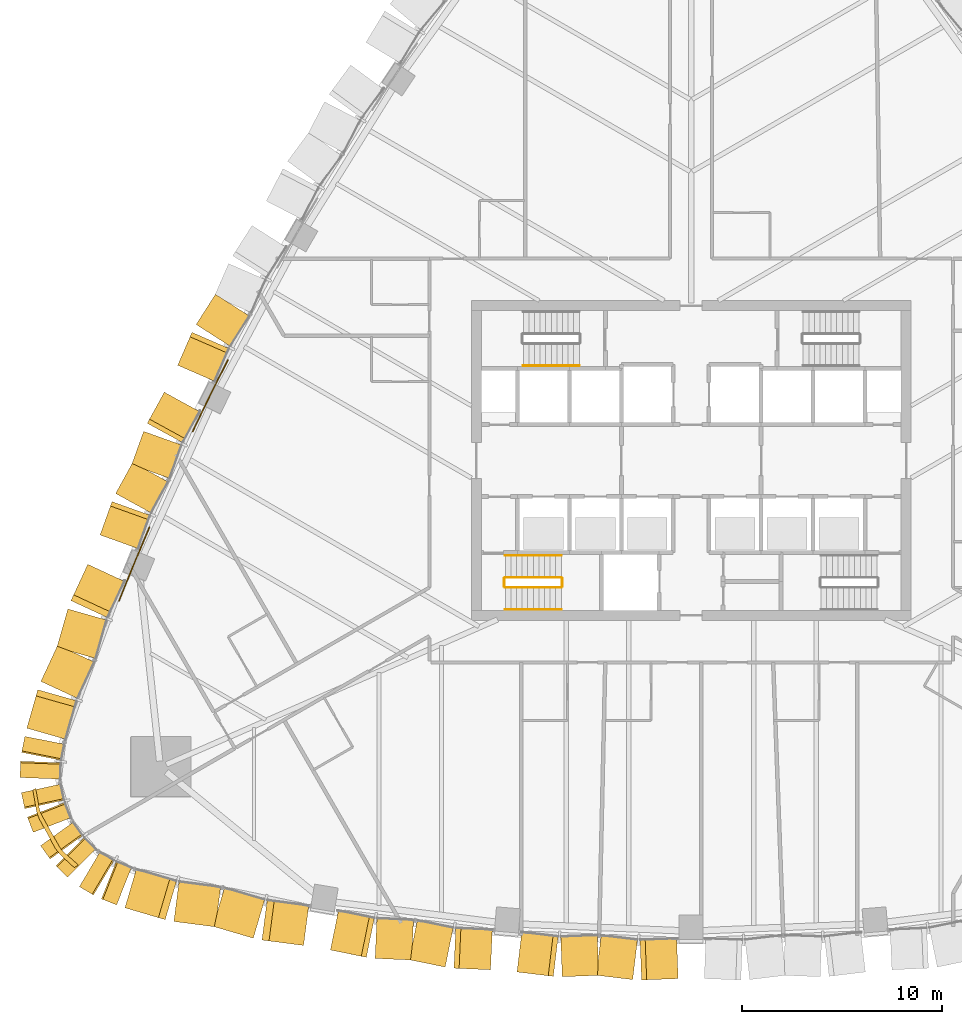
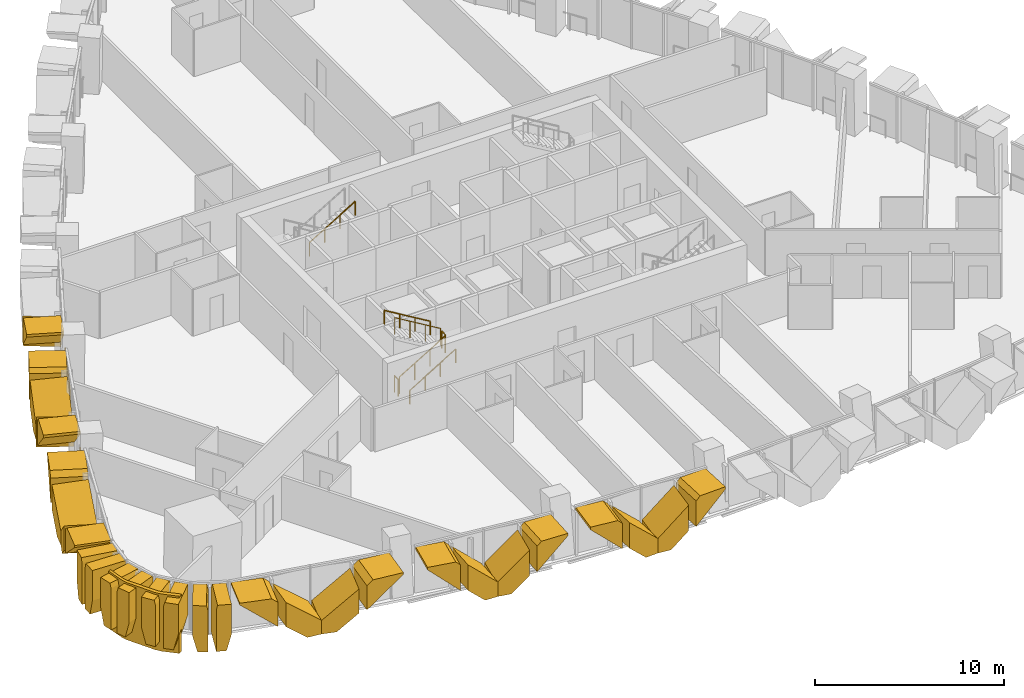
# One storey, part 18 of 23: 31 coverings, 9 railings.
"""IFC4 building model written with IfcOpenShell, lengths in metres."""

from ifc_helpers import new_model, si_unit, direction, frame, origin, origin_2d, place, context, subcontext, project, spatial, polyline, circle, outline, extrude, material, layer, layer_set, type_object, element, save


model = new_model("IFC4")

# Units and contexts
model_context = context("Model", 3, precision=1e-05, world=origin(), true_north=direction((0.0, 1.0)))
body_context = subcontext(model_context, "Body", "Model", "MODEL_VIEW")
ifc_project = project(units=[si_unit("LENGTHUNIT", "METRE"), si_unit("AREAUNIT", "SQUARE_METRE"), si_unit("VOLUMEUNIT", "CUBIC_METRE"), si_unit("PLANEANGLEUNIT", "RADIAN"), si_unit("MASSUNIT", "GRAM", prefix="KILO")], contexts=[model_context])

# Site, building, storey
site_placement = place(None, origin())
site = spatial("IfcSite", under=ifc_project, at=site_placement, CompositionType="ELEMENT")
building_placement = place(site_placement, origin())
building = spatial("IfcBuilding", under=site, at=building_placement, Name="Sierra Prisma Convention Tower", CompositionType="ELEMENT")
storey_placement = place(building_placement, frame((0.0, 0.0, 70.199951171875)))
storey = spatial("IfcBuildingStorey", under=building, at=storey_placement, Name="L13", CompositionType="ELEMENT", Elevation=70.199951171875)

# Coverings
ifc_material_1 = material(Name="Aluminium composite bronze anodised", Category="aluminium")
ifc_layer_1 = layer(ifc_material_1, 1.199951171875)
ifc_layer_set_1 = layer_set([ifc_layer_1], Name="Bronze corner pier")
covering_type_1 = type_object("IfcCoveringType", Name="Bronze corner pier", PredefinedType="CLADDING", material=ifc_layer_set_1)
covering_1_placement = place(storey_placement, frame((0.0, 0.0, -0.599853515625)))
element("IfcCovering", 1, at=covering_1_placement, inside=storey, type_object=covering_type_1, Name="Corner pier SW L13.1", PredefinedType="CLADDING", context=body_context, shape_type="SweptSolid", body=[
    extrude(outline(polyline([(-31.81494140625, -19.404052734375), (-32.628173828125, -17.910400390625), (-32.7568359375, -17.53955078125), (-32.939208984375, -16.47705078125), (-32.794921875, -16.393798828125), (-32.61572265625, -17.389892578125), (-32.584228515625, -17.522216796875), (-32.5380859375, -17.650146484375), (-32.478271484375, -17.772216796875), (-31.62451171875, -19.289794921875), (-31.55126953125, -19.404296875), (-31.4658203125, -19.510009765625), (-31.369140625, -19.605712890625), (-30.653564453125, -20.238037109375), (-30.868408203125, -20.3623046875), (-31.573486328125, -19.71337890625), (-31.81494140625, -19.404052734375)])), origin(), (0.0, 0.0, 1.0), 3.699951171875),
])
ifc_material_2 = material(Name="Aluminium 6063-T6 bronze anodised", Category="aluminium")
ifc_layer_2 = layer(ifc_material_2, 2.0)
ifc_layer_set_2 = layer_set([ifc_layer_2], Name="Bronze crystal chevron frame")
covering_type_2 = type_object("IfcCoveringType", Name="Bronze crystal chevron frame", PredefinedType="CLADDING", material=ifc_layer_set_2)
covering_2_placement = place(storey_placement, frame((-28.329833984375, -22.375732421875, 2.97998046875), z_axis=(-0.282392123243, -0.959299061132, 6.518942e-06), x_axis=(-1.840898e-06, -6.253615e-06, -0.999999999979)))
element("IfcCovering", 2, at=covering_2_placement, inside=storey, type_object=covering_type_2, Name="CW-2 chevron frame S1.1.1", PredefinedType="CLADDING", context=body_context, shape_type="SweptSolid", body=[
    extrude(outline(polyline([(0.0, 0.0), (0.11035156249765522, -2.3367852304623032e-23), (1.856201171848113, 2.099108088776725), (0.295410156256277, 2.099108088776725), (-7.101788610743397e-11, 1.7438237499038258), (0.0, 0.0)])), origin(), (0.0, 0.0, -1.0), 2.0),
])
covering_3_placement = place(storey_placement, frame((-25.88232421875, -23.059814453125, 2.576416015625), z_axis=(-0.128733949615, -0.991679166816, 1.7896466e-05), x_axis=(-2.303883e-06, -1.7747553e-05, -0.99999999984)))
element("IfcCovering", 3, at=covering_3_placement, inside=storey, type_object=covering_type_2, Name="CW-2 chevron frame S1.1.2", PredefinedType="CLADDING", context=body_context, shape_type="SweptSolid", body=[
    extrude(outline(polyline([(0.0, 0.0), (1.5607910153750524, 6.610207070064382e-22), (2.57641601630353, 1.2208597784648008), (2.576416015537696, 2.0992570163667206), (1.7460937500456657, 2.0992570163667206), (0.0, 0.0)])), origin(), (0.0, 0.0, -1.0), 2.0),
])
covering_4_placement = place(storey_placement, frame((-23.922119140625, -23.304443359375, 0.0), z_axis=(-0.282397402615, -0.959297506984, 9.47832e-06), x_axis=(0.959297507027, -0.282397402628, -2.45e-10)))
element("IfcCovering", 4, at=covering_4_placement, inside=storey, type_object=covering_type_2, Name="CW-2 chevron frame S1.2.1", PredefinedType="CLADDING", context=body_context, shape_type="SweptSolid", body=[
    extrude(outline(polyline([(0.0, 0.0), (0.8782840473197168, 0.0), (2.099108088507129, 1.0156250005590293), (2.0991080881253845, 2.5764160161139196), (-2.0308348977260184e-10, 0.8303222655877025), (0.0, 0.0)])), origin(), (0.0, 0.0, -1.0), 2.0),
])
covering_5_placement = place(storey_placement, frame((-19.39306640625, -24.2587890625, 2.97998046875), z_axis=(-0.12874603876, -0.991677594228, -8.1297801e-05), x_axis=(-0.991677597505, 0.128746039185, 6.334e-09)))
element("IfcCovering", 5, at=covering_5_placement, inside=storey, type_object=covering_type_2, Name="CW-2 chevron frame S1.2.2", PredefinedType="CLADDING", context=body_context, shape_type="SweptSolid", body=[
    extrude(outline(polyline([(0.0, 0.0), (1.7437426838725811, 0.0), (2.0990149057726817, 0.29541017052171814), (2.0990148958863895, 1.8562011809888248), (-6.989839207757484e-10, 0.11035156213532492), (0.0, 0.0)])), origin(), (0.0, 0.0, -1.0), 2.0),
])
covering_6_placement = place(storey_placement, frame((-18.050537109375, -24.485107421875, 2.97998046875), z_axis=(-0.200406083936, -0.979712914587, 8.0699737e-05), x_axis=(-1.6172718e-05, -7.9062575e-05, -0.999999996744)))
element("IfcCovering", 6, at=covering_6_placement, inside=storey, type_object=covering_type_2, Name="CW-2 chevron frame S2.1.1", PredefinedType="CLADDING", context=body_context, shape_type="SweptSolid", body=[
    extrude(outline(polyline([(0.0, 0.0), (0.1621093744721356, -5.492479267352104e-22), (1.8940429641661656, 1.833339622410651), (0.24316406329179663, 1.833339622410651), (-1.180699119550038e-08, 1.5758861228997096), (0.0, 0.0)])), origin(), (0.0, 0.0, -1.0), 2.0),
])
covering_7_placement = place(storey_placement, frame((-15.814453125, -24.906982421875, 2.614013671875), z_axis=(-0.044623259293, -0.999003885939, -2.4686801e-05), x_axis=(1.101606e-06, 2.466221e-05, -0.999999999695)))
element("IfcCovering", 7, at=covering_7_placement, inside=storey, type_object=covering_type_2, Name="CW-2 chevron frame S2.1.2", PredefinedType="CLADDING", context=body_context, shape_type="SweptSolid", body=[
    extrude(outline(polyline([(0.0, 0.0), (1.6508789057469457, -3.495872063802233e-22), (2.6140136732091133, 1.0195664403411433), (2.614013671665431, 1.8333681509920887), (1.731933593809218, 1.8333681509920887), (0.0, 0.0)])), origin(), (0.0, 0.0, -1.0), 2.0),
])
covering_8_placement = place(storey_placement, frame((-14.106201171875, -24.9736328125, 0.0), z_axis=(-0.200333247522, -0.979727813561, 3.5674824e-05), x_axis=(0.979727814184, -0.20033324765, -3.962e-09)))
element("IfcCovering", 8, at=covering_8_placement, inside=storey, type_object=covering_type_2, Name="CW-2 chevron frame S2.2.1", PredefinedType="CLADDING", context=body_context, shape_type="SweptSolid", body=[
    extrude(outline(polyline([(0.0, 0.0), (0.8136313287942795, -8.470329472543003e-22), (1.83305151122402, 0.9631347735005997), (1.8330515046830915, 2.6140136787000685), (-3.4948793165928866e-09, 0.8820800775636914), (0.0, 0.0)])), origin(), (0.0, 0.0, -1.0), 2.0),
])
covering_9_placement = place(storey_placement, frame((-10.038818359375, -25.477294921875, 2.97998046875), z_axis=(-0.044616682002, -0.999004180009, 3.344774e-06), x_axis=(-0.999004180015, 0.044616682002, 1.3e-11)))
element("IfcCovering", 9, at=covering_9_placement, inside=storey, type_object=covering_type_2, Name="CW-2 chevron frame S2.2.2", PredefinedType="CLADDING", context=body_context, shape_type="SweptSolid", body=[
    extrude(outline(polyline([(0.0, 0.0), (1.5757882219610095, 5.293955920339377e-23), (1.8331242536008792, 0.2431640625249554), (1.83312425357963, 1.8940429687657212), (-2.086598412616342e-12, 0.16210937499909323), (0.0, 0.0)])), origin(), (0.0, 0.0, -1.0), 2.0),
])
covering_10_placement = place(storey_placement, frame((-8.71630859375, -25.5869140625, 2.97998046875), z_axis=(-0.119269075759, -0.992861966051, -6.2737553e-05), x_axis=(7.48265e-06, 6.2289731e-05, -0.999999998032)))
element("IfcCovering", 10, at=covering_10_placement, inside=storey, type_object=covering_type_2, Name="CW-2 chevron frame S3.1.1", PredefinedType="CLADDING", context=body_context, shape_type="SweptSolid", body=[
    extrude(outline(polyline([(0.0, 0.0), (0.16235351530548822, 0.0), (1.8940429659786557, 1.8321680533747062), (0.24291992235306648, 1.8321680533747062), (-7.137844853915895e-09, 1.5752224012592562), (0.0, 0.0)])), origin(), (0.0, 0.0, -1.0), 2.0),
])
covering_11_placement = place(storey_placement, frame((-6.454345703125, -25.82373046875, 2.6142578125), z_axis=(0.037564450564, -0.999294206808, -1.7136686e-05), x_axis=(-6.4373e-07, 1.7124591e-05, -0.999999999853)))
element("IfcCovering", 11, at=covering_11_placement, inside=storey, type_object=covering_type_2, Name="CW-2 chevron frame S3.1.2", PredefinedType="CLADDING", context=body_context, shape_type="SweptSolid", body=[
    extrude(outline(polyline([(0.0, 0.0), (1.6513671872575248, 0.0), (2.614257813142968, 1.0187877103859628), (2.614257812398909, 1.8323485662162005), (1.7319335937784632, 1.8323485662162005), (0.0, 0.0)])), origin(), (0.0, 0.0, -1.0), 2.0),
])
covering_12_placement = place(storey_placement, frame((-3.939697265625, -25.846923828125, 0.0), z_axis=(-0.119395805273, -0.992846736226, 6.964865e-06), x_axis=(0.721473150674, -0.086756676433, 0.686986005644)))
element("IfcCovering", 12, at=covering_12_placement, inside=storey, type_object=covering_type_2, Name="CW-2 chevron frame S3.2.1", PredefinedType="CLADDING", context=body_context, shape_type="SweptSolid", body=[
    extrude(outline(polyline([(0.0, 0.0), (1.4016160696327296, 0.0), (2.536082217624304, 1.200000061200221), (0.014864162986811813, 1.2001485837804018), (-0.5912802277348838, 0.5589894736122173), (0.0, 0.0)])), origin(), (0.0, 0.0, -1.0), 2.0),
])
covering_13_placement = place(storey_placement, frame((-0.654296875, -25.91796875, 2.97998046875), z_axis=(0.037447028896, -0.999298612789, -5.0056809e-05), x_axis=(-0.999298614041, -0.037447028943, 2.884e-09)))
element("IfcCovering", 13, at=covering_13_placement, inside=storey, type_object=covering_type_2, Name="CW-2 chevron frame S3.2.2", PredefinedType="CLADDING", context=body_context, shape_type="SweptSolid", body=[
    extrude(outline(polyline([(0.0, 0.0), (1.5753270616058597, 0.0), (1.8323394085856852, 0.24291992746468663), (1.8323394038230538, 1.8940429722710903), (-4.683054665600759e-10, 0.16235351542159668), (0.0, 0.0)])), origin(), (0.0, 0.0, -1.0), 2.0),
])
covering_14_placement = place(storey_placement, frame((-23.802978515625, 8.31884765625, 0.0), z_axis=(-0.843092080017, 0.537769227756, -4.7873057e-05), x_axis=(-0.537769228372, -0.843092080983, -7.285e-09)))
element("IfcCovering", 14, at=covering_14_placement, inside=storey, type_object=covering_type_2, Name="CW-2 chevron frame NW4.2.1", PredefinedType="CLADDING", context=body_context, shape_type="SweptSolid", body=[
    extrude(outline(polyline([(0.0, 0.0), (0.8046581947575292, 0.0), (1.7945418352386904, 0.9541015766658602), (1.7945418230988561, 2.620605481006189), (-6.491414437609992e-09, 0.8911132802288602), (0.0, 0.0)])), origin(), (0.0, 0.0, -1.0), 2.0),
])
covering_15_placement = place(storey_placement, frame((-25.692626953125, 4.769287109375, 2.97998046875), z_axis=(-0.916870583428, 0.39918458537, 6.91966e-06), x_axis=(0.39918458538, 0.91687058345, 5.7e-11)))
element("IfcCovering", 15, at=covering_15_placement, inside=storey, type_object=covering_type_2, Name="CW-2 chevron frame NW4.2.2", PredefinedType="CLADDING", context=body_context, shape_type="SweptSolid", body=[
    extrude(outline(polyline([(0.0, 0.0), (1.5515957477708018, 8.470329472543003e-22), (1.7944332117472315, 0.23388671885737372), (1.794433211652699, 1.9006347656924705), (-9.706634954946642e-12, 0.1711425781209027), (0.0, 0.0)])), origin(), (0.0, 0.0, -1.0), 2.0),
])
covering_16_placement = place(storey_placement, frame((-26.362548828125, 3.42041015625, 2.97998046875), z_axis=(-0.877027087107, 0.480440930875, 2.0510327e-05), x_axis=(-1.7988112e-05, 9.854001e-06, -0.99999999979)))
element("IfcCovering", 16, at=covering_16_placement, inside=storey, type_object=covering_type_2, Name="CW-2 chevron frame NW5.1.1", PredefinedType="CLADDING", context=body_context, shape_type="SweptSolid", body=[
    extrude(outline(polyline([(0.0, 0.0), (0.17626953121292405, 2.98612201131643e-22), (1.9045410153206384, 1.7729599431480643), (0.22875976567311657, 1.7729599431480643), (-7.79108702337781e-10, 1.538268159774627), (0.0, 0.0)])), origin(), (0.0, 0.0, -1.0), 2.0),
])
covering_17_placement = place(storey_placement, frame((-27.396240234375, 1.461181640625, 2.62451171875), z_axis=(-0.941366593672, 0.337385441736, -4.818635e-06), x_axis=(4.536102e-06, -1.625737e-06, -0.999999999988)))
element("IfcCovering", 17, at=covering_17_placement, inside=storey, type_object=covering_type_2, Name="CW-2 chevron frame NW5.1.2", PredefinedType="CLADDING", context=body_context, shape_type="SweptSolid", body=[
    extrude(outline(polyline([(0.0, 0.0), (1.675781249980545, 0.0), (2.6245117188012856, 0.973323302058531), (2.624511718741559, 1.772894620771101), (1.728027343751967, 1.772894620771101), (0.0, 0.0)])), origin(), (0.0, 0.0, -1.0), 2.0),
])
covering_18_placement = place(storey_placement, frame((-27.943359375, -0.094482421875, 0.0), z_axis=(-0.877004237623, 0.480482638203, -3.9718217e-05), x_axis=(-0.480482638581, -0.877004238315, -5.076e-09)))
element("IfcCovering", 18, at=covering_18_placement, inside=storey, type_object=covering_type_2, Name="CW-2 chevron frame NW5.2.1", PredefinedType="CLADDING", context=body_context, shape_type="SweptSolid", body=[
    extrude(outline(polyline([(0.0, 0.0), (0.7994519929023952, 0.0), (1.772745824187914, 0.948730478496399), (1.7727458156820146, 2.6245117271745957), (-4.550358806250804e-09, 0.8964843742928814), (0.0, 0.0)])), origin(), (0.0, 0.0, -1.0), 2.0),
])
covering_19_placement = place(storey_placement, frame((-29.5751953125, -3.722412109375, 2.97998046875), z_axis=(-0.941365759902, 0.337387765862, 3.9120251e-05), x_axis=(0.337387766121, 0.941365760622, 1.843e-09)))
element("IfcCovering", 19, at=covering_19_placement, inside=storey, type_object=covering_type_2, Name="CW-2 chevron frame NW5.2.2", PredefinedType="CLADDING", context=body_context, shape_type="SweptSolid", body=[
    extrude(outline(polyline([(0.0, 0.0), (1.5382145305233714, 0.0), (1.7728946203328877, 0.22875976906684342), (1.772894617245035, 1.9045410177845405), (-3.248003511994752e-10, 0.1762695311151191), (0.0, 0.0)])), origin(), (0.0, 0.0, -1.0), 2.0),
])
covering_20_placement = place(storey_placement, frame((-30.189208984375, -5.19140625, 2.97998046875), z_axis=(-0.907028826078, 0.421068528421, 5.5107062e-05), x_axis=(-4.9983694e-05, 2.3203849e-05, -0.999999998482)))
element("IfcCovering", 20, at=covering_20_placement, inside=storey, type_object=covering_type_2, Name="CW-2 chevron frame NW6.1.1", PredefinedType="CLADDING", context=body_context, shape_type="SweptSolid", body=[
    extrude(outline(polyline([(0.0, 0.0), (0.12719726543186444, -4.309610991401274e-22), (1.8686523417578493, 2.002058117543452), (0.27832031292259996, 2.002058117543452), (-5.215772824064384e-09, 1.6822387632811913), (0.0, 0.0)])), origin(), (0.0, 0.0, -1.0), 2.0),
])
covering_21_placement = place(storey_placement, frame((-31.18701171875, -7.423095703125, 2.588623046875), z_axis=(-0.961719426028, 0.274036029292, -1.5792788e-05), x_axis=(1.5188231e-05, -4.327793e-06, -0.999999999875)))
element("IfcCovering", 21, at=covering_21_placement, inside=storey, type_object=covering_type_2, Name="CW-2 chevron frame NW6.1.2", PredefinedType="CLADDING", context=body_context, shape_type="SweptSolid", body=[
    extrude(outline(polyline([(0.0, 0.0), (1.590332031051676, 0.0), (2.5886230474091723, 1.1476786941867385), (2.588623046801169, 2.0019234259037932), (1.7412109375318465, 2.0019234259037932), (0.0, 0.0)])), origin(), (0.0, 0.0, -1.0), 2.0),
])
covering_22_placement = place(storey_placement, frame((-32.052001953125, -10.0068359375, 0.0), z_axis=(-0.906977679817, 0.421178689243, 6.403645e-06), x_axis=(-0.31778900154, -0.684345483582, 0.656263216706)))
element("IfcCovering", 22, at=covering_22_placement, inside=storey, type_object=covering_type_2, Name="CW-2 chevron frame NW6.2.1", PredefinedType="CLADDING", context=body_context, shape_type="SweptSolid", body=[
    extrude(outline(polyline([(0.0, 0.0), (1.5211747212287912, 0.0), (2.564851135686985, 1.1999564623017482), (-0.08853611522812777, 1.2001016052206772), (-0.644661512001906, 0.5607020226831629), (0.0, 0.0)])), origin(), (0.0, 0.0, -1.0), 2.0),
])
covering_23_placement = place(storey_placement, frame((-33.238525390625, -13.388916015625, 2.97998046875), z_axis=(-0.961721499372, 0.274028753308, 2.227632e-06), x_axis=(0.274028753309, 0.961721499375, 5e-12)))
element("IfcCovering", 23, at=covering_23_placement, inside=storey, type_object=covering_type_2, Name="CW-2 chevron frame NW6.2.2", PredefinedType="CLADDING", context=body_context, shape_type="SweptSolid", body=[
    extrude(outline(polyline([(0.0, 0.0), (1.682063706324588, 2.117582368135751e-22), (2.001923425964367, 0.2783203125108343), (2.001923425956309, 1.8686523437568885), (-6.445053077734407e-13, 0.12719726562468442), (0.0, 0.0)])), origin(), (0.0, 0.0, -1.0), 2.0),
])
covering_24_placement = place(storey_placement, frame((-33.337646484375, -13.799072265625, 2.97998046875), z_axis=(-0.980846185972, 0.194783877682, 2.1437089e-05), x_axis=(-2.1026487e-05, 4.175599e-06, -0.99999999977)))
element("IfcCovering", 24, at=covering_24_placement, inside=storey, type_object=covering_type_2, Name="CW-2 chevron frame SW1.1.1", PredefinedType="CLADDING", context=body_context, shape_type="SweptSolid", body=[
    extrude(outline(polyline([(0.0, 0.0), (1.9470214839276243, -1.649191346277599e-21), (2.9799804685422746, 0.2631003498860186), (2.9799804682549595, 0.8171672650301464), (0.29321289074730994, 0.8171672650301464), (-1.9854692260445673e-09, 0.742474665293138), (0.0, 0.0)])), origin(), (0.0, 0.0, -1.0), 2.0),
])
covering_25_placement = place(storey_placement, frame((-33.548828125, -15.041015625, 0.0), z_axis=(-0.999245625814, 0.038835282283, -1.1931499e-05), x_axis=(-0.038835282286, -0.999245625885, -7.61e-10)))
element("IfcCovering", 25, at=covering_25_placement, inside=storey, type_object=covering_type_2, Name="CW-2 chevron frame SW1.1.2", PredefinedType="CLADDING", context=body_context, shape_type="SweptSolid", body=[
    extrude(outline(polyline([(0.0, 0.0), (0.5541275840692717, 0.0), (0.8170229385827646, 1.0329589850304504), (0.8170229371006561, 2.979980469266861), (0.0747644471720527, 2.9799804689075065), (-2.0452168983959904e-09, 2.686767577933755), (0.0, 0.0)])), origin(), (0.0, 0.0, -1.0), 2.0),
])
covering_26_placement = place(storey_placement, frame((-33.513916015625, -16.616455078125, 2.97998046875), z_axis=(-0.977062424487, -0.212953089897, -1.261737e-05), x_axis=(1.2327958e-05, 2.686908e-06, -0.99999999992)))
element("IfcCovering", 26, at=covering_26_placement, inside=storey, type_object=covering_type_2, Name="CW-2 chevron frame SW2.1.1", PredefinedType="CLADDING", context=body_context, shape_type="SweptSolid", body=[
    extrude(outline(polyline([(0.0, 0.0), (1.947021484220019, 0.0), (2.979980470006039, 0.2631410995475482), (2.9799804687467586, 0.8173356308250807), (0.29321289083562285, 0.8173356308250807), (7.388920674317597e-10, 0.7426325996265384), (0.0, 0.0)])), origin(), (0.0, 0.0, -1.0), 2.0),
])
covering_27_placement = place(storey_placement, frame((-33.211669921875, -17.83935546875, 0.0), z_axis=(-0.931706076566, -0.363213142029, 1.8659951e-05), x_axis=(0.363213142092, -0.931706076728, -3.864e-09)))
element("IfcCovering", 27, at=covering_27_placement, inside=storey, type_object=covering_type_2, Name="CW-2 chevron frame SW2.1.2", PredefinedType="CLADDING", context=body_context, shape_type="SweptSolid", body=[
    extrude(outline(polyline([(0.0, 0.0), (0.5541616165437676, 4.235164736271502e-22), (0.8172994183962148, 1.0329589877757093), (0.8172994108735465, 2.979980471811739), (0.07467110436513125, 2.979980468080668), (-1.038081057095499e-08, 2.6867675776572426), (0.0, 0.0)])), origin(), (0.0, 0.0, -1.0), 2.0),
])
covering_28_placement = place(storey_placement, frame((-32.550537109375, -19.27001953125, 2.97998046875), z_axis=(-0.810814084903, -0.58530378332, 3.0891417e-05), x_axis=(-2.5047196e-05, -1.8080863e-05, -0.999999999523)))
element("IfcCovering", 28, at=covering_28_placement, inside=storey, type_object=covering_type_2, Name="CW-2 chevron frame SW3.1.1", PredefinedType="CLADDING", context=body_context, shape_type="SweptSolid", body=[
    extrude(outline(polyline([(0.0, 0.0), (1.9470214834459987, 0.0), (2.9799804729289607, 0.2630353745631956), (2.979980468306127, 0.8171776219598538), (0.29321289146309043, 0.8171776219598538), (8.300449866250248e-10, 0.7425069016434118), (0.0, 0.0)])), origin(), (0.0, 0.0, -1.0), 2.0),
])
covering_29_placement = place(storey_placement, frame((-31.394775390625, -20.663818359375, 0.0), z_axis=(-0.709210939818, -0.704996342014, 2.4273691e-05), x_axis=(0.174023628833, -0.175030608392, 0.969061433932)))
element("IfcCovering", 29, at=covering_29_placement, inside=storey, type_object=covering_type_2, Name="CW-2 chevron frame SW3.1.2", PredefinedType="CLADDING", context=body_context, shape_type="SweptSolid", body=[
    extrude(outline(polyline([(0.0, 0.0), (1.0659375658421628, 0.0), (2.9527209973865625, 0.48056314968350244), (2.7694574030217165, 1.2000913015348773), (2.466866209662113, 1.2001584115213162), (-0.13677663223708708, 0.5370113943091603), (0.0, 0.0)])), origin(), (0.0, 0.0, -1.0), 2.0),
])
covering_30_placement = place(storey_placement, frame((-30.608154296875, -21.318359375, 2.97998046875), z_axis=(-0.509675841051, -0.860366511363, -5.6335618e-05), x_axis=(2.8712904e-05, 4.846928e-05, -0.999999998413)))
element("IfcCovering", 30, at=covering_30_placement, inside=storey, type_object=covering_type_2, Name="CW-2 chevron frame SW4.1.1", PredefinedType="CLADDING", context=body_context, shape_type="SweptSolid", body=[
    extrude(outline(polyline([(0.0, 0.0), (1.9470214812853672, 0.0), (2.979980465785691, 0.2630302232617915), (2.9799804651373902, 0.8172271833180513), (0.2932128912758896, 0.8172271833180513), (-1.5355567541964886e-08, 0.7424868232475976), (0.0, 0.0)])), origin(), (0.0, 0.0, -1.0), 2.0),
])
covering_31_placement = place(storey_placement, frame((-29.507080078125, -21.930419921875, 0.0), z_axis=(-0.368708132148, -0.929545218451, -1.1982466e-05), x_axis=(0.929545218517, -0.368708132175, 2.91e-10)))
element("IfcCovering", 31, at=covering_31_placement, inside=storey, type_object=covering_type_2, Name="CW-2 chevron frame SW4.1.2", PredefinedType="CLADDING", context=body_context, shape_type="SweptSolid", body=[
    extrude(outline(polyline([(0.0, 0.0), (0.5541867963138618, 4.235164736271502e-22), (0.8170900906111549, 1.0329589840856221), (0.8170900911783774, 2.9799804683208464), (0.07462276966567079, 2.979980469466549), (7.827314486994212e-10, 2.6867675779321183), (0.0, 0.0)])), origin(), (0.0, 0.0, -1.0), 2.0),
])

# Railings
ifc_material_3 = material(Name="Stainless steel", Category="steel")
railing_type_1 = type_object("IfcRailingType", Name="Exit stair handrail", PredefinedType="HANDRAIL", material=ifc_material_3)
railing_1_placement = place(storey_placement, frame((-9.300048828125, -7.449951171875, 0.168212890625)))
element("IfcRailing", 32, at=railing_1_placement, inside=storey, type_object=railing_type_1, Name="L13 S1 stair handrail 1", PredefinedType="HANDRAIL", context=body_context, shape_type="SweptSolid", body=[
    extrude(circle(Radius=0.02392578125, at=origin_2d()), frame((0.0, 0.0, 0.8759765625), z_axis=(0.857242210791, 0.0, 0.514913383045), x_axis=(0.0, 1.0, 0.0)), (0.0, 0.0, 1.0), 3.266357421875),
    extrude(circle(Radius=0.02099609375, at=origin_2d()), origin(), (0.0, 0.0, 1.0), 0.851806640625),
    extrude(circle(Radius=0.02099609375, at=origin_2d()), frame((0.933349609375, 0.0, 0.560546875)), (0.0, 0.0, 1.0), 0.851806640625),
    extrude(circle(Radius=0.02099609375, at=origin_2d()), frame((1.86669921875, 0.0, 1.121337890625)), (0.0, 0.0, 1.0), 0.851806640625),
    extrude(circle(Radius=0.02099609375, at=origin_2d()), frame((2.800048828125, 0.0, 1.681884765625)), (0.0, 0.0, 1.0), 0.851806640625),
])
railing_2_placement = place(storey_placement, frame((-6.5, -4.75, 2.018310546875)))
element("IfcRailing", 33, at=railing_2_placement, inside=storey, type_object=railing_type_1, Name="L13 S1 stair handrail 2", PredefinedType="HANDRAIL", context=body_context, shape_type="SweptSolid", body=[
    extrude(circle(Radius=0.02392578125, at=origin_2d()), frame((0.0, 0.0, 0.8759765625), z_axis=(-0.857275202839, 0.0, 0.514858452973), x_axis=(0.0, -1.0, 0.0)), (0.0, 0.0, 1.0), 3.26611328125),
    extrude(circle(Radius=0.02099609375, at=origin_2d()), origin(), (0.0, 0.0, 1.0), 0.851806640625),
    extrude(circle(Radius=0.02099609375, at=origin_2d()), frame((-0.933349609375, 0.0, 0.560546875)), (0.0, 0.0, 1.0), 0.851806640625),
    extrude(circle(Radius=0.02099609375, at=origin_2d()), frame((-1.86669921875, 0.0, 1.12109375)), (0.0, 0.0, 1.0), 0.851806640625),
    extrude(circle(Radius=0.02099609375, at=origin_2d()), frame((-2.800048828125, 0.0, 1.681640625)), (0.0, 0.0, 1.0), 0.851806640625),
])
railing_3_placement = place(storey_placement, frame((-8.39990234375, 4.75, 2.018310546875)))
element("IfcRailing", 34, at=railing_3_placement, inside=storey, type_object=railing_type_1, Name="L13 S3 stair handrail 2", PredefinedType="HANDRAIL", context=body_context, shape_type="SweptSolid", body=[
    extrude(circle(Radius=0.02392578125, at=origin_2d()), frame((0.0, 0.0, 0.8759765625), z_axis=(0.857255387014, 0.0, 0.514891446264), x_axis=(0.0, 1.0, 0.0)), (0.0, 0.0, 1.0), 3.26611328125),
    extrude(circle(Radius=0.02099609375, at=origin_2d()), origin(), (0.0, 0.0, 1.0), 0.851806640625),
    extrude(circle(Radius=0.02099609375, at=origin_2d()), frame((0.933349609375, 0.0, 0.560546875)), (0.0, 0.0, 1.0), 0.851806640625),
    extrude(circle(Radius=0.02099609375, at=origin_2d()), frame((1.866455078125, 0.0, 1.12109375)), (0.0, 0.0, 1.0), 0.851806640625),
    extrude(circle(Radius=0.02099609375, at=origin_2d()), frame((2.7998046875, 0.0, 1.681640625)), (0.0, 0.0, 1.0), 0.851806640625),
])
ifc_material_4 = material(Name="Bronze anodised aluminium", Category="aluminium")
railing_type_2 = type_object("IfcRailingType", Name="Facade guard 1100", PredefinedType="GUARDRAIL", material=ifc_material_4)
railing_4_placement = place(storey_placement, frame((-23.1787109375, 5.03125, 0.0)))
element("IfcRailing", 35, at=railing_4_placement, inside=storey, type_object=railing_type_2, Name="Facade guard", PredefinedType="GUARDRAIL", context=body_context, shape_type="SweptSolid", body=[
    extrude(circle(Radius=0.02392578125, at=origin_2d()), frame((0.0, 0.0, 1.076171875), z_axis=(-0.453782316387, -0.891112568273, 0.0), x_axis=(0.891112568273, -0.453782316387, 0.0)), (0.0, 0.0, 1.0), 0.994140625),
    extrude(circle(Radius=0.02392578125, at=origin_2d()), frame((-0.451171875, -0.885986328125, 1.076171875), z_axis=(-0.442324761437, -0.896854952274, 0.0), x_axis=(0.896854952274, -0.442324761437, 0.0)), (0.0, 0.0, 1.0), 1.000244140625),
    extrude(circle(Radius=0.02392578125, at=origin_2d()), frame((-0.8935546875, -1.782958984375, 1.076171875), z_axis=(-0.440817105389, -0.897596947185, 0.0), x_axis=(0.897596947185, -0.440817105389, 0.0)), (0.0, 0.0, 1.0), 0.994140625),
    extrude(circle(Radius=0.02392578125, at=origin_2d()), frame((-1.331787109375, -2.67529296875, 1.076171875), z_axis=(-0.429649280129, -0.902995844999, 0.0), x_axis=(0.902995844999, -0.429649280129, 0.0)), (0.0, 0.0, 1.0), 1.0),
    extrude(circle(Radius=0.02099609375, at=origin_2d()), origin(), (0.0, 0.0, 1.0), 1.052001953125),
    extrude(circle(Radius=0.02099609375, at=origin_2d()), frame((-0.451171875, -0.885986328125, 0.0)), (0.0, 0.0, 1.0), 1.052001953125),
    extrude(circle(Radius=0.02099609375, at=origin_2d()), frame((-0.8935546875, -1.782958984375, 0.0)), (0.0, 0.0, 1.0), 1.052001953125),
    extrude(circle(Radius=0.02099609375, at=origin_2d()), frame((-1.331787109375, -2.67529296875, 0.0)), (0.0, 0.0, 1.0), 1.052001953125),
    extrude(circle(Radius=0.02099609375, at=origin_2d()), frame((-1.761474609375, -3.578369140625, 0.0)), (0.0, 0.0, 1.0), 1.052001953125),
])
railing_5_placement = place(storey_placement, frame((-27.099853515625, -3.32373046875, 0.0)))
element("IfcRailing", 36, at=railing_5_placement, inside=storey, type_object=railing_type_2, Name="Facade guard", PredefinedType="GUARDRAIL", context=body_context, shape_type="SweptSolid", body=[
    extrude(circle(Radius=0.02392578125, at=origin_2d()), frame((0.0, 0.0, 1.076171875), z_axis=(-0.390587461471, -0.920565823253, 0.0), x_axis=(0.920565823253, -0.390587461471, 0.0)), (0.0, 0.0, 1.0), 1.0),
    extrude(circle(Radius=0.02392578125, at=origin_2d()), frame((-0.390625, -0.920654296875, 1.076171875), z_axis=(-0.385486928173, -0.922713296863, 0.0), x_axis=(0.922713296863, -0.385486928173, 0.0)), (0.0, 0.0, 1.0), 0.994384765625),
    extrude(circle(Radius=0.02392578125, at=origin_2d()), frame((-0.77392578125, -1.838134765625, 1.076171875), z_axis=(-0.377444229688, -0.926032317727, 0.0), x_axis=(0.926032317727, -0.377444229688, 0.0)), (0.0, 0.0, 1.0), 1.0),
    extrude(circle(Radius=0.02392578125, at=origin_2d()), frame((-1.1513671875, -2.76416015625, 1.076171875), z_axis=(-0.372025662304, -0.928222444561, 0.0), x_axis=(0.928222444561, -0.372025662304, 0.0)), (0.0, 0.0, 1.0), 0.994140625),
    extrude(circle(Radius=0.02099609375, at=origin_2d()), origin(), (0.0, 0.0, 1.0), 1.052001953125),
    extrude(circle(Radius=0.02099609375, at=origin_2d()), frame((-0.390625, -0.920654296875, 0.0)), (0.0, 0.0, 1.0), 1.052001953125),
    extrude(circle(Radius=0.02099609375, at=origin_2d()), frame((-0.77392578125, -1.838134765625, 0.0)), (0.0, 0.0, 1.0), 1.052001953125),
    extrude(circle(Radius=0.02099609375, at=origin_2d()), frame((-1.1513671875, -2.76416015625, 0.0)), (0.0, 0.0, 1.0), 1.052001953125),
    extrude(circle(Radius=0.02099609375, at=origin_2d()), frame((-1.521240234375, -3.68701171875, 0.0)), (0.0, 0.0, 1.0), 1.052001953125),
])
ifc_material_5 = material(Name="Stainless steel", Category="steel")
railing_type_3 = type_object("IfcRailingType", Name="Stair guard 1100", PredefinedType="GUARDRAIL", material=ifc_material_5)
railing_6_placement = place(storey_placement, frame((-9.300048828125, -6.35009765625, 0.168212890625)))
element("IfcRailing", 37, at=railing_6_placement, inside=storey, type_object=railing_type_3, Name="L13 S1 stair guard 1", PredefinedType="GUARDRAIL", context=body_context, shape_type="SweptSolid", body=[
    extrude(circle(Radius=0.02392578125, at=origin_2d()), frame((0.0, 0.0, 1.076171875), z_axis=(0.857242210791, 0.0, 0.514913383045), x_axis=(0.0, 1.0, 0.0)), (0.0, 0.0, 1.0), 3.266357421875),
    extrude(circle(Radius=0.02099609375, at=origin_2d()), origin(), (0.0, 0.0, 1.0), 1.052001953125),
    extrude(circle(Radius=0.02099609375, at=origin_2d()), frame((0.933349609375, 0.0, 0.560546875)), (0.0, 0.0, 1.0), 1.052001953125),
    extrude(circle(Radius=0.02099609375, at=origin_2d()), frame((1.86669921875, 0.0, 1.121337890625)), (0.0, 0.0, 1.0), 1.052001953125),
    extrude(circle(Radius=0.02099609375, at=origin_2d()), frame((2.800048828125, 0.0, 1.681884765625)), (0.0, 0.0, 1.0), 1.052001953125),
])
railing_7_placement = place(storey_placement, frame((-6.449951171875, -6.300048828125, 1.85009765625)))
element("IfcRailing", 38, at=railing_7_placement, inside=storey, type_object=railing_type_3, Name="L13 S1 stair guard 2", PredefinedType="GUARDRAIL", context=body_context, shape_type="SweptSolid", body=[
    extrude(circle(Radius=0.02392578125, at=origin_2d()), frame((0.0, 0.0, 1.076171875), z_axis=(0.0, 1.0, 0.0), x_axis=(-1.0, 0.0, 0.0)), (0.0, 0.0, 1.0), 0.400146484375),
    extrude(circle(Radius=0.02099609375, at=origin_2d()), origin(), (0.0, 0.0, 1.0), 1.052001953125),
    extrude(circle(Radius=0.02099609375, at=origin_2d()), frame((0.0, 0.400146484375, 0.0)), (0.0, 0.0, 1.0), 1.052001953125),
])
railing_8_placement = place(storey_placement, frame((-6.5, -5.85009765625, 2.018310546875)))
element("IfcRailing", 39, at=railing_8_placement, inside=storey, type_object=railing_type_3, Name="L13 S1 stair guard 3", PredefinedType="GUARDRAIL", context=body_context, shape_type="SweptSolid", body=[
    extrude(circle(Radius=0.02392578125, at=origin_2d()), frame((0.0, 0.0, 1.076171875), z_axis=(-0.857275202839, 0.0, 0.514858452973), x_axis=(0.0, -1.0, 0.0)), (0.0, 0.0, 1.0), 3.26611328125),
    extrude(circle(Radius=0.02099609375, at=origin_2d()), origin(), (0.0, 0.0, 1.0), 1.052001953125),
    extrude(circle(Radius=0.02099609375, at=origin_2d()), frame((-0.933349609375, 0.0, 0.560546875)), (0.0, 0.0, 1.0), 1.052001953125),
    extrude(circle(Radius=0.02099609375, at=origin_2d()), frame((-1.86669921875, 0.0, 1.12109375)), (0.0, 0.0, 1.0), 1.052001953125),
    extrude(circle(Radius=0.02099609375, at=origin_2d()), frame((-2.800048828125, 0.0, 1.681640625)), (0.0, 0.0, 1.0), 1.052001953125),
])
railing_9_placement = place(storey_placement, frame((-9.35009765625, -6.300048828125, 0.0)))
element("IfcRailing", 40, at=railing_9_placement, inside=storey, type_object=railing_type_3, Name="L13 S1 stair guard 4", PredefinedType="GUARDRAIL", context=body_context, shape_type="SweptSolid", body=[
    extrude(circle(Radius=0.02392578125, at=origin_2d()), frame((0.0, 0.0, 1.076171875), z_axis=(0.0, 1.0, 0.0), x_axis=(-1.0, 0.0, 0.0)), (0.0, 0.0, 1.0), 0.400146484375),
    extrude(circle(Radius=0.02099609375, at=origin_2d()), origin(), (0.0, 0.0, 1.0), 1.052001953125),
    extrude(circle(Radius=0.02099609375, at=origin_2d()), frame((0.0, 0.400146484375, 0.0)), (0.0, 0.0, 1.0), 1.052001953125),
])

save(model, "model.ifc")
